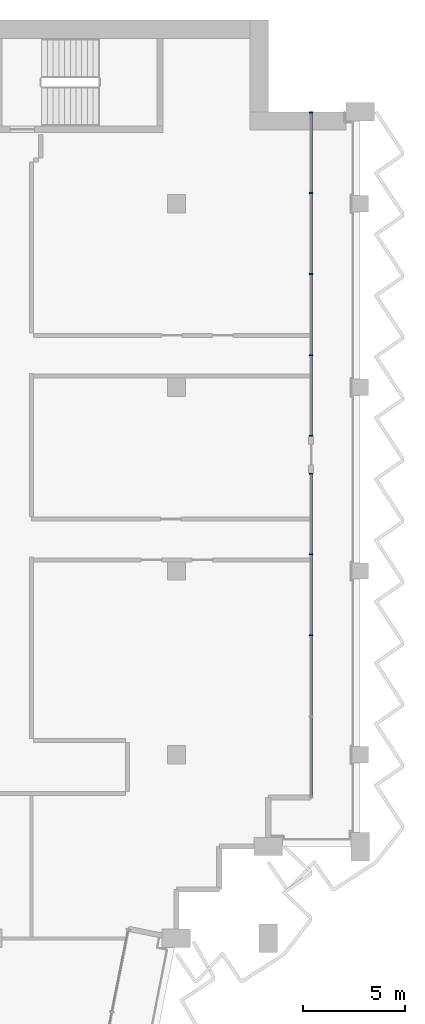
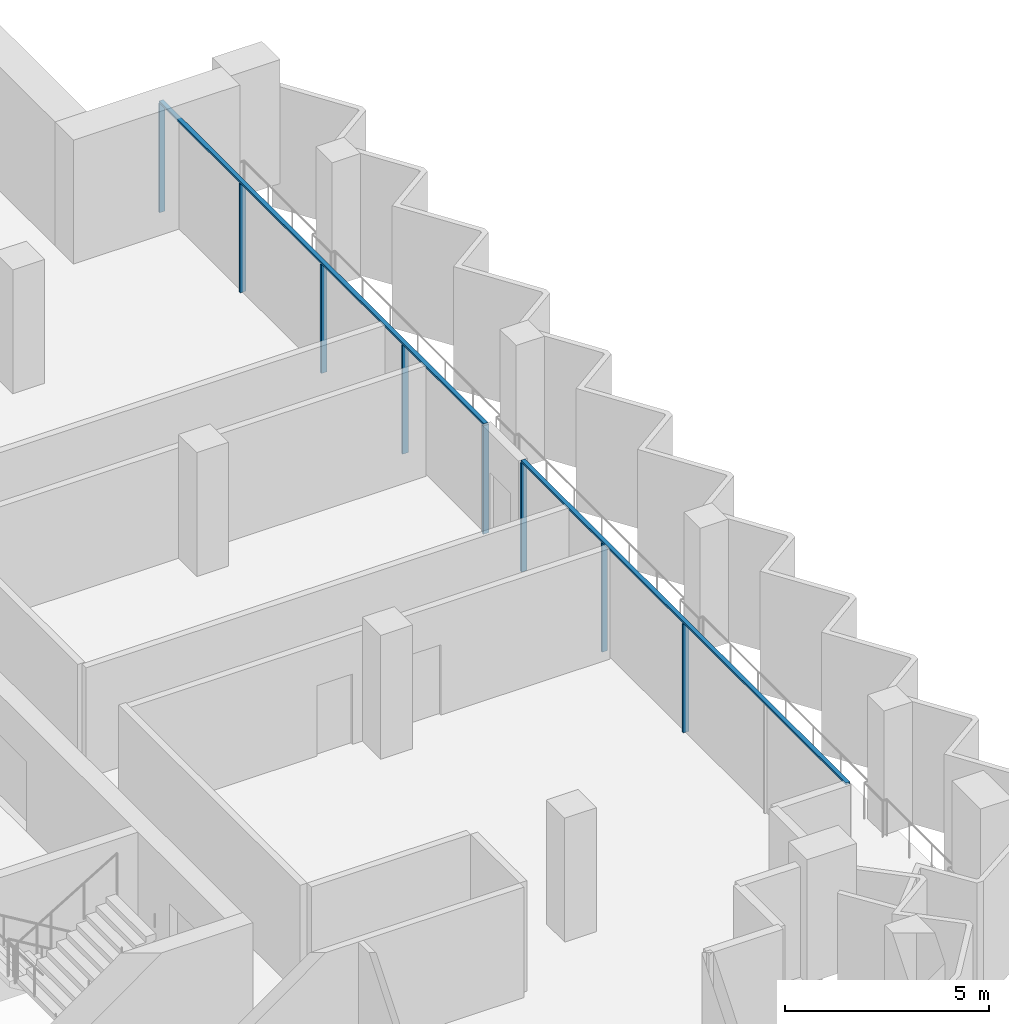
# One storey, part 4 of 13: 10 members, 2 elements without a shape of their own.
"""IFC4 building model written with IfcOpenShell, lengths in metres."""

from ifc_helpers import new_model, si_unit, direction, frame, origin, origin_2d, place, context, subcontext, project, spatial, rectangle, extrude, material, material_profile, profile_set, type_object, element, aggregate, save


model = new_model("IFC4")

# Units and contexts
model_context = context("Model", 3, precision=1e-05, world=origin(), true_north=direction((0.0, 1.0)))
body_context = subcontext(model_context, "Body", "Model", "MODEL_VIEW")
ifc_project = project(units=[si_unit("LENGTHUNIT", "METRE"), si_unit("AREAUNIT", "SQUARE_METRE"), si_unit("VOLUMEUNIT", "CUBIC_METRE"), si_unit("PLANEANGLEUNIT", "RADIAN"), si_unit("MASSUNIT", "GRAM", prefix="KILO")], contexts=[model_context])

# Site, building, storey
site_placement = place(None, origin())
site = spatial("IfcSite", under=ifc_project, at=site_placement, CompositionType="ELEMENT")
building_placement = place(site_placement, origin())
building = spatial("IfcBuilding", under=site, at=building_placement, Name="Hunhe Ridgeline Campus", CompositionType="ELEMENT")
storey_placement = place(building_placement, frame((0.0, 0.0, 280.800048828125)))
storey = spatial("IfcBuildingStorey", under=building, at=storey_placement, Name="L72", CompositionType="ELEMENT", Elevation=280.800048828125)

# Curtain wall, members
ifc_material = material(Name="Aluminium 6063", Category="aluminium")
curtain_wall_type = type_object("IfcCurtainWallType", Name="Curtain wall CW-1", PredefinedType="NOTDEFINED", material=ifc_material)
curtain_wall_1_placement = place(storey_placement, origin())
curtain_wall_1 = element("IfcCurtainWall", 1, at=curtain_wall_1_placement, inside=storey, type_object=curtain_wall_type, Name="Curtain wall 11", PredefinedType="NOTDEFINED")
ifc_material_profile_1 = material_profile(ifc_material, rectangle(XDim=0.159912109375, YDim=0.06005859375, at=origin_2d()))
ifc_profile_set_1 = profile_set([ifc_material_profile_1], Name="Aluminium 6063")
member_type_1 = type_object("IfcMemberType", Name="CW-1 aluminium mullion", PredefinedType="MULLION", material=ifc_profile_set_1)
member_1_placement = place(storey_placement, frame((51.59912109375, 68.850830078125, 0.0), z_axis=(0.0, 0.0, 1.0), x_axis=(-1.0, 0.0, 0.0)))
member_1 = element("IfcMember", 2, at=member_1_placement, type_object=member_type_1, Name="CW-1 mullion 3", PredefinedType="MULLION", context=body_context, shape_type="SweptSolid", body=[
    extrude(rectangle(XDim=0.159912109375, YDim=0.06005859375, at=origin_2d()), origin(), (0.0, 0.0, 1.0), 3.239990234375),
])
member_2_placement = place(storey_placement, frame((51.59912109375, 72.82568359375, 0.0), z_axis=(0.0, 0.0, 1.0), x_axis=(-1.0, 0.0, 0.0)))
member_2 = element("IfcMember", 3, at=member_2_placement, type_object=member_type_1, Name="CW-1 mullion 4", PredefinedType="MULLION", context=body_context, shape_type="SweptSolid", body=[
    extrude(rectangle(XDim=0.159912109375, YDim=0.06005859375, at=origin_2d()), origin(), (0.0, 0.0, 1.0), 3.239990234375),
])
member_3_placement = place(storey_placement, frame((51.59912109375, 76.7705078125, 0.0), z_axis=(0.0, 0.0, 1.0), x_axis=(-1.0, 0.0, 0.0)))
member_3 = element("IfcMember", 4, at=member_3_placement, type_object=member_type_1, Name="CW-1 mullion 5", PredefinedType="MULLION", context=body_context, shape_type="SweptSolid", body=[
    extrude(rectangle(XDim=0.159912109375, YDim=0.06005859375, at=origin_2d()), origin(), (0.0, 0.0, 1.0), 3.239990234375),
])

curtain_wall_2_placement = place(storey_placement, origin())
curtain_wall_2 = element("IfcCurtainWall", 5, at=curtain_wall_2_placement, inside=storey, type_object=curtain_wall_type, Name="Curtain wall 12", PredefinedType="NOTDEFINED")
member_4_placement = place(storey_placement, frame((51.59912109375, 78.630615234375, 0.0), z_axis=(0.0, 0.0, 1.0), x_axis=(-1.0, 0.0, 0.0)))
member_4 = element("IfcMember", 6, at=member_4_placement, type_object=member_type_1, Name="CW-1 mullion 1", PredefinedType="MULLION", context=body_context, shape_type="SweptSolid", body=[
    extrude(rectangle(XDim=0.159912109375, YDim=0.06005859375, at=origin_2d()), origin(), (0.0, 0.0, 1.0), 3.239990234375),
])
member_5_placement = place(storey_placement, frame((51.59912109375, 82.575439453125, 0.0), z_axis=(0.0, 0.0, 1.0), x_axis=(-1.0, 0.0, 0.0)))
member_5 = element("IfcMember", 7, at=member_5_placement, type_object=member_type_1, Name="CW-1 mullion 2", PredefinedType="MULLION", context=body_context, shape_type="SweptSolid", body=[
    extrude(rectangle(XDim=0.159912109375, YDim=0.06005859375, at=origin_2d()), origin(), (0.0, 0.0, 1.0), 3.239990234375),
])
member_6_placement = place(storey_placement, frame((51.59912109375, 86.55029296875, 0.0), z_axis=(0.0, 0.0, 1.0), x_axis=(-1.0, 0.0, 0.0)))
member_6 = element("IfcMember", 8, at=member_6_placement, type_object=member_type_1, Name="CW-1 mullion 3", PredefinedType="MULLION", context=body_context, shape_type="SweptSolid", body=[
    extrude(rectangle(XDim=0.159912109375, YDim=0.06005859375, at=origin_2d()), origin(), (0.0, 0.0, 1.0), 3.239990234375),
])
member_7_placement = place(storey_placement, frame((51.59912109375, 90.525146484375, 0.0), z_axis=(0.0, 0.0, 1.0), x_axis=(-1.0, 0.0, 0.0)))
member_7 = element("IfcMember", 9, at=member_7_placement, type_object=member_type_1, Name="CW-1 mullion 4", PredefinedType="MULLION", context=body_context, shape_type="SweptSolid", body=[
    extrude(rectangle(XDim=0.159912109375, YDim=0.06005859375, at=origin_2d()), origin(), (0.0, 0.0, 1.0), 3.239990234375),
])
member_8_placement = place(storey_placement, frame((51.59912109375, 94.469970703125, 0.0), z_axis=(0.0, 0.0, 1.0), x_axis=(-1.0, 0.0, 0.0)))
member_8 = element("IfcMember", 10, at=member_8_placement, type_object=member_type_1, Name="CW-1 mullion 5", PredefinedType="MULLION", context=body_context, shape_type="SweptSolid", body=[
    extrude(rectangle(XDim=0.159912109375, YDim=0.06005859375, at=origin_2d()), origin(), (0.0, 0.0, 1.0), 3.239990234375),
])

# Member
ifc_material_profile_2 = material_profile(ifc_material, rectangle(XDim=0.1201171875, YDim=0.06005859375, at=origin_2d()))
ifc_profile_set_2 = profile_set([ifc_material_profile_2], Name="Aluminium 6063")
member_type_2 = type_object("IfcMemberType", Name="CW-1 aluminium transom", PredefinedType="USERDEFINED", material=ifc_profile_set_2)
member_9_placement = place(storey_placement, frame((51.59912109375, 60.90087890625, 3.27001953125), z_axis=(0.0, 1.0, 0.0), x_axis=(-1.0, 0.0, 0.0)))
member_9 = element("IfcMember", 11, at=member_9_placement, type_object=member_type_2, Name="CW-1 transom 1", ObjectType="TRANSOM", PredefinedType="USERDEFINED", context=body_context, shape_type="SweptSolid", body=[
    extrude(rectangle(XDim=0.1201171875, YDim=0.06005859375, at=origin_2d()), origin(), (0.0, 0.0, 1.0), 15.899658203125),
])

aggregate(curtain_wall_1, [member_9, member_1, member_2, member_3])

member_10_placement = place(storey_placement, frame((51.59912109375, 78.6005859375, 3.27001953125), z_axis=(0.0, 1.0, 0.0), x_axis=(-1.0, 0.0, 0.0)))
member_10 = element("IfcMember", 12, at=member_10_placement, type_object=member_type_2, Name="CW-1 transom 1", ObjectType="TRANSOM", PredefinedType="USERDEFINED", context=body_context, shape_type="SweptSolid", body=[
    extrude(rectangle(XDim=0.1201171875, YDim=0.06005859375, at=origin_2d()), origin(), (0.0, 0.0, 1.0), 15.8994140625),
])

aggregate(curtain_wall_2, [member_10, member_4, member_5, member_6, member_7, member_8])

save(model, "model.ifc")
